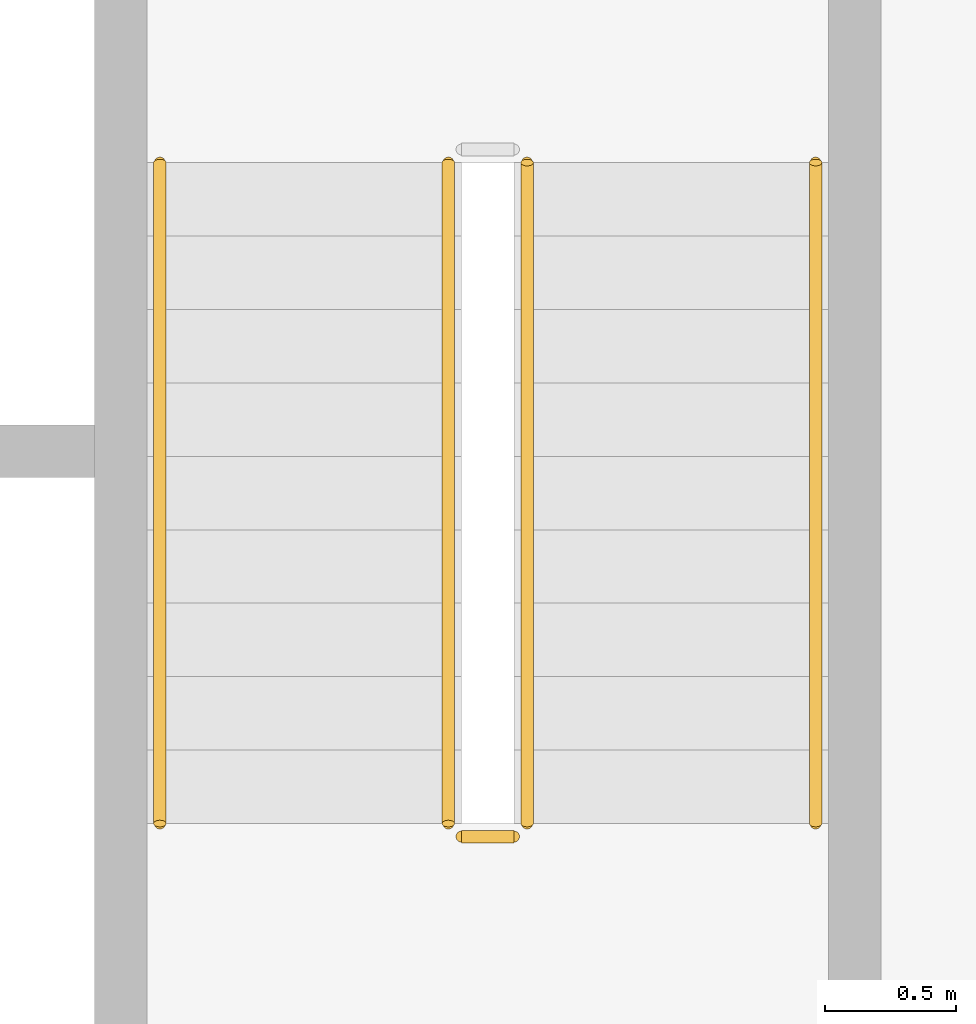
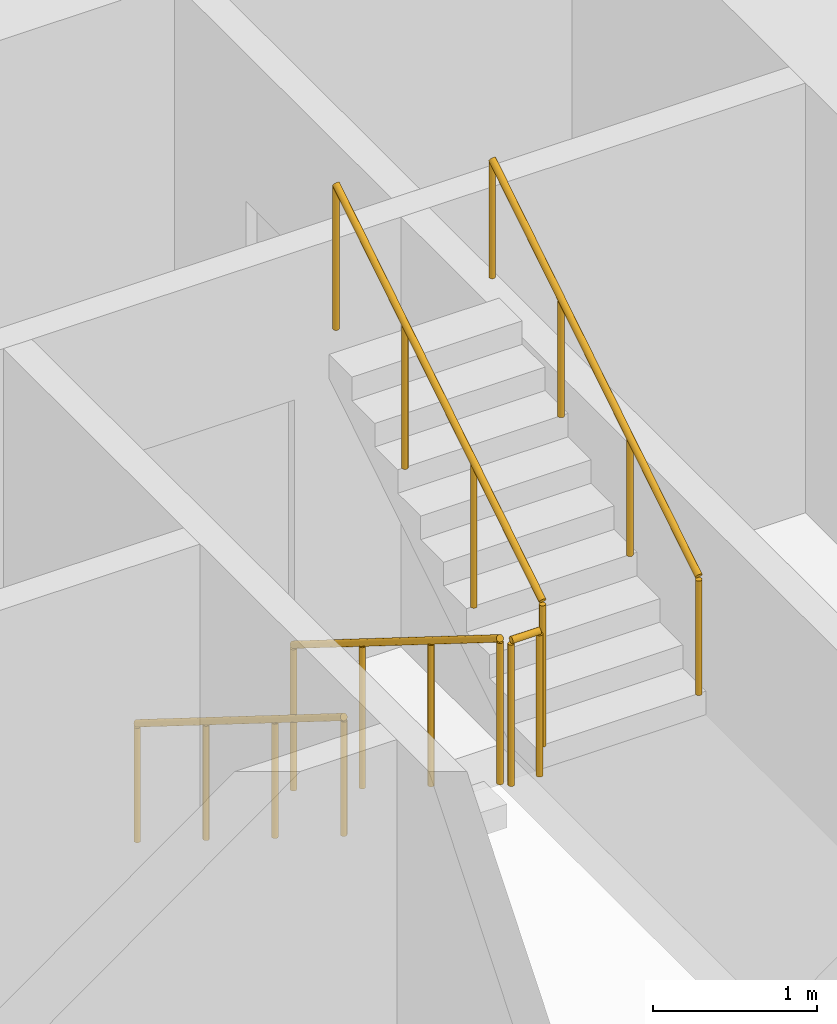
# One storey, part 19 of 22: 5 railings.
"""IFC4 building model written with IfcOpenShell, lengths in metres."""

from ifc_helpers import new_model, si_unit, direction, frame, origin, origin_2d, place, context, subcontext, project, spatial, circle, extrude, material, type_object, element, save


model = new_model("IFC4")

# Units and contexts
model_context = context("Model", 3, precision=1e-05, world=origin(), true_north=direction((0.0, 1.0)))
body_context = subcontext(model_context, "Body", "Model", "MODEL_VIEW")
ifc_project = project(units=[si_unit("LENGTHUNIT", "METRE"), si_unit("AREAUNIT", "SQUARE_METRE"), si_unit("VOLUMEUNIT", "CUBIC_METRE"), si_unit("PLANEANGLEUNIT", "RADIAN"), si_unit("MASSUNIT", "GRAM", prefix="KILO")], contexts=[model_context])

# Site, building, storey
site_placement = place(None, origin())
site = spatial("IfcSite", under=ifc_project, at=site_placement, CompositionType="ELEMENT")
building_placement = place(site_placement, origin())
building = spatial("IfcBuilding", under=site, at=building_placement, Name="Kiln Ring Residences", CompositionType="ELEMENT")
storey_placement = place(building_placement, frame((0.0, 0.0, 167.60009765625)))
storey = spatial("IfcBuildingStorey", under=building, at=storey_placement, Name="L43", CompositionType="ELEMENT", Elevation=167.60009765625)

# Railings
ifc_material_1 = material(Name="Stainless steel", Category="steel")
railing_type_1 = type_object("IfcRailingType", Name="CORE-STAIR-GUARD", PredefinedType="GUARDRAIL", material=ifc_material_1)
railing_1_placement = place(storey_placement, frame((21.949951171875, 8.39990234375, 0.1748046875)))
element("IfcRailing", 1, at=railing_1_placement, inside=storey, type_object=railing_type_1, Name="L43 E-STN stair guard 1", PredefinedType="GUARDRAIL", context=body_context, shape_type="SweptSolid", body=[
    extrude(circle(Radius=0.02392578125, at=origin_2d()), frame((0.0, 0.0, 1.076171875), z_axis=(0.0, -0.847970611238, 0.530043245855), x_axis=(1.0, 0.0, 0.0)), (0.0, 0.0, 1.0), 2.971923828125),
    extrude(circle(Radius=0.02099609375, at=origin_2d()), origin(), (0.0, 0.0, 1.0), 1.052001953125),
    extrude(circle(Radius=0.02099609375, at=origin_2d()), frame((0.0, -0.840087890625, 0.525146484375)), (0.0, 0.0, 1.0), 1.052001953125),
    extrude(circle(Radius=0.02099609375, at=origin_2d()), frame((0.0, -1.679931640625, 1.050048828125)), (0.0, 0.0, 1.0), 1.052001953125),
    extrude(circle(Radius=0.02099609375, at=origin_2d()), frame((0.0, -2.52001953125, 1.5751953125)), (0.0, 0.0, 1.0), 1.052001953125),
])
railing_2_placement = place(storey_placement, frame((22.0, 5.830078125, 1.75)))
element("IfcRailing", 2, at=railing_2_placement, inside=storey, type_object=railing_type_1, Name="L43 E-STN stair guard 2", PredefinedType="GUARDRAIL", context=body_context, shape_type="SweptSolid", body=[
    extrude(circle(Radius=0.02392578125, at=origin_2d()), frame((0.0, 0.0, 1.076171875), z_axis=(1.0, 0.0, 0.0), x_axis=(0.0, 1.0, 0.0)), (0.0, 0.0, 1.0), 0.199951171875),
    extrude(circle(Radius=0.02099609375, at=origin_2d()), origin(), (0.0, 0.0, 1.0), 1.052001953125),
    extrude(circle(Radius=0.02099609375, at=origin_2d()), frame((0.199951171875, 0.0, 0.0)), (0.0, 0.0, 1.0), 1.052001953125),
])
railing_3_placement = place(storey_placement, frame((22.25, 5.8798828125, 1.9248046875)))
element("IfcRailing", 3, at=railing_3_placement, inside=storey, type_object=railing_type_1, Name="L43 E-STN stair guard 3", PredefinedType="GUARDRAIL", context=body_context, shape_type="SweptSolid", body=[
    extrude(circle(Radius=0.02392578125, at=origin_2d()), frame((0.0, 0.0, 1.076171875), z_axis=(0.0, 0.847970611238, 0.530043245855), x_axis=(-1.0, 0.0, 0.0)), (0.0, 0.0, 1.0), 2.971923828125),
    extrude(circle(Radius=0.02099609375, at=origin_2d()), origin(), (0.0, 0.0, 1.0), 1.052001953125),
    extrude(circle(Radius=0.02099609375, at=origin_2d()), frame((0.0, 0.840087890625, 0.525146484375)), (0.0, 0.0, 1.0), 1.052001953125),
    extrude(circle(Radius=0.02099609375, at=origin_2d()), frame((0.0, 1.679931640625, 1.050048828125)), (0.0, 0.0, 1.0), 1.052001953125),
    extrude(circle(Radius=0.02099609375, at=origin_2d()), frame((0.0, 2.52001953125, 1.5751953125)), (0.0, 0.0, 1.0), 1.052001953125),
])
ifc_material_2 = material(Name="Stainless steel", Category="steel")
railing_type_2 = type_object("IfcRailingType", Name="CORE-STAIR-HANDRAIL", PredefinedType="HANDRAIL", material=ifc_material_2)
railing_4_placement = place(storey_placement, frame((20.85009765625, 8.39990234375, 0.1748046875)))
element("IfcRailing", 4, at=railing_4_placement, inside=storey, type_object=railing_type_2, Name="L43 E-STN stair handrail 1", PredefinedType="HANDRAIL", context=body_context, shape_type="SweptSolid", body=[
    extrude(circle(Radius=0.02392578125, at=origin_2d()), frame((0.0, 0.0, 0.8759765625), z_axis=(0.0, -0.847970611238, 0.530043245855), x_axis=(1.0, 0.0, 0.0)), (0.0, 0.0, 1.0), 2.971923828125),
    extrude(circle(Radius=0.02099609375, at=origin_2d()), origin(), (0.0, 0.0, 1.0), 0.851806640625),
    extrude(circle(Radius=0.02099609375, at=origin_2d()), frame((0.0, -0.840087890625, 0.525146484375)), (0.0, 0.0, 1.0), 0.851806640625),
    extrude(circle(Radius=0.02099609375, at=origin_2d()), frame((0.0, -1.679931640625, 1.050048828125)), (0.0, 0.0, 1.0), 0.851806640625),
    extrude(circle(Radius=0.02099609375, at=origin_2d()), frame((0.0, -2.52001953125, 1.5751953125)), (0.0, 0.0, 1.0), 0.851806640625),
])
railing_5_placement = place(storey_placement, frame((23.35009765625, 5.8798828125, 1.9248046875)))
element("IfcRailing", 5, at=railing_5_placement, inside=storey, type_object=railing_type_2, Name="L43 E-STN stair handrail 2", PredefinedType="HANDRAIL", context=body_context, shape_type="SweptSolid", body=[
    extrude(circle(Radius=0.02392578125, at=origin_2d()), frame((0.0, 0.0, 0.8759765625), z_axis=(0.0, 0.847970611238, 0.530043245855), x_axis=(-1.0, 0.0, 0.0)), (0.0, 0.0, 1.0), 2.971923828125),
    extrude(circle(Radius=0.02099609375, at=origin_2d()), origin(), (0.0, 0.0, 1.0), 0.851806640625),
    extrude(circle(Radius=0.02099609375, at=origin_2d()), frame((0.0, 0.840087890625, 0.525146484375)), (0.0, 0.0, 1.0), 0.851806640625),
    extrude(circle(Radius=0.02099609375, at=origin_2d()), frame((0.0, 1.679931640625, 1.050048828125)), (0.0, 0.0, 1.0), 0.851806640625),
    extrude(circle(Radius=0.02099609375, at=origin_2d()), frame((0.0, 2.52001953125, 1.5751953125)), (0.0, 0.0, 1.0), 0.851806640625),
])

save(model, "model.ifc")
